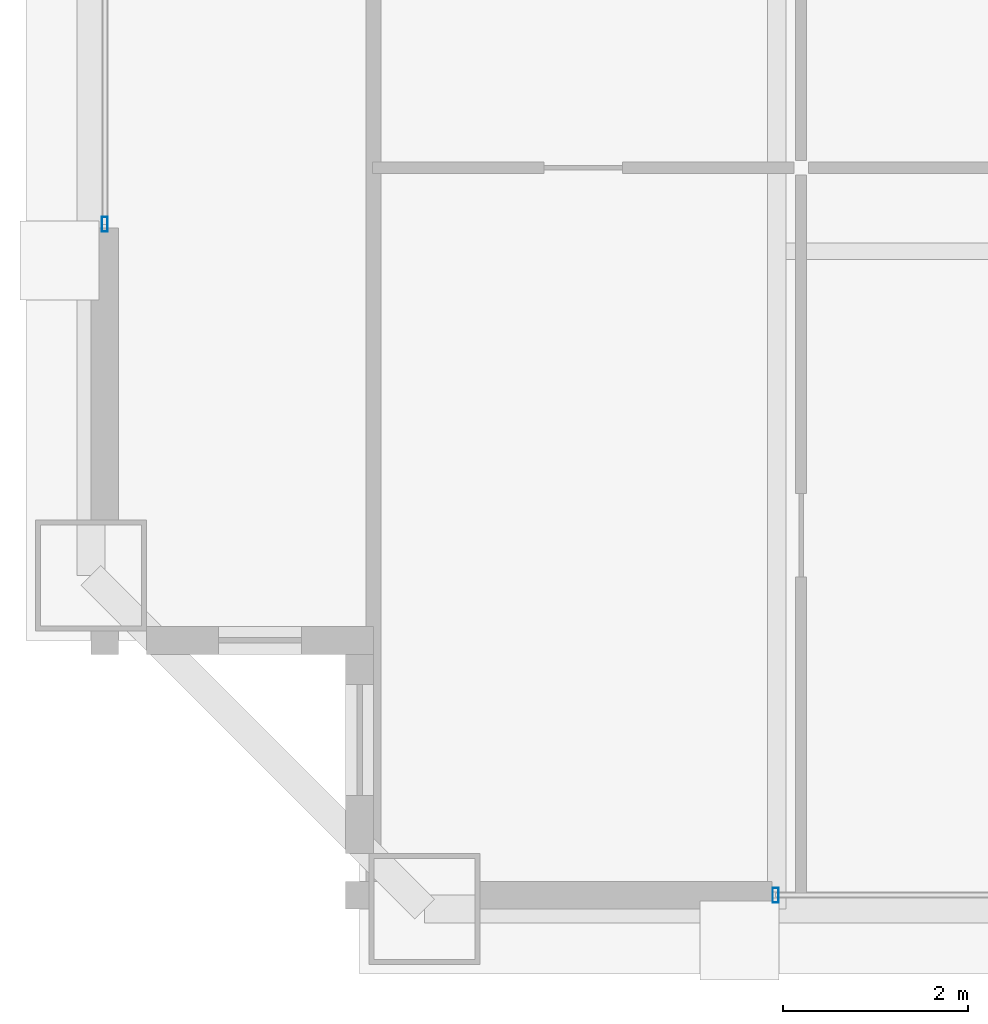
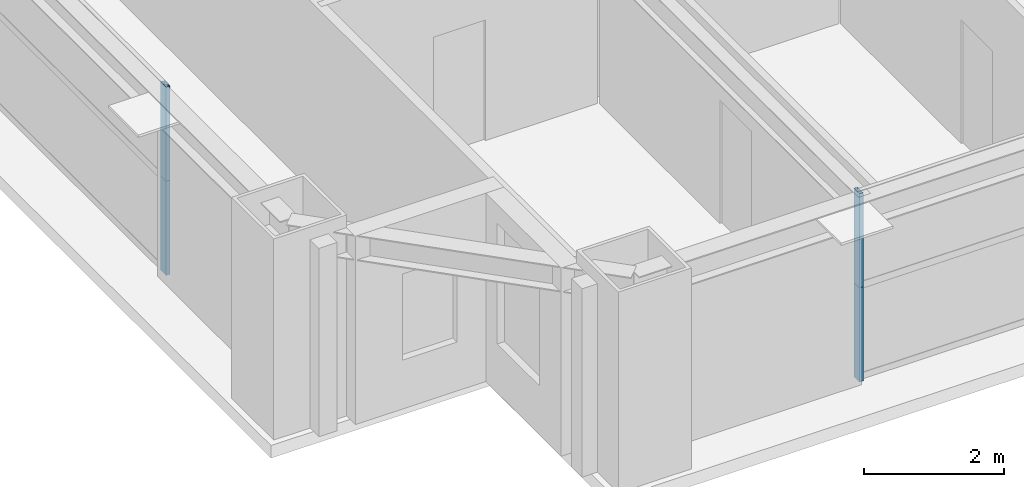
# One storey, part 3 of 36: 4 members, 2 elements without a shape of their own.
"""IFC4 building model written with IfcOpenShell, lengths in metres."""

import ifcopenshell
import ifcopenshell.guid

model = None  # the IFC model being written
_history = None  # IfcOwnerHistory: only IFC2X3 demands one
_inside = {}  # id of a spatial element -> (the spatial element, [elements in it])
_under = {}  # id of a project, library or spatial element -> (it, [spatial elements below it])
_declared = {}  # id of a project -> (the project, [libraries it declares])
_typed = {}  # id of a type object -> (the type object, [elements of that type])
_made_of = {}  # id of a material, layer set ... -> (it, [elements and type objects made of it])


def new_model(schema):
    """Start an empty IFC model of exactly this schema.

    Asked for "IFC4X3", IfcOpenShell would pick the latest addendum, in which some entities
    have other attributes; the version numbers below select the first issue.
    IFC2X3 requires an IfcOwnerHistory on every rooted entity: one is made here for all.
    """
    global model, _history
    if schema == "IFC4X3":
        model = ifcopenshell.file(schema_version=(4, 3, 0, 0))
    else:
        model = ifcopenshell.file(schema=schema)
    _inside.clear()
    _under.clear()
    _declared.clear()
    _typed.clear()
    _made_of.clear()
    _history = None
    if model.schema == "IFC2X3":
        org = make("IfcOrganization", Name="unknown")
        user = make(
            "IfcPersonAndOrganization",
            ThePerson=make("IfcPerson", FamilyName="unknown"),
            TheOrganization=org,
        )
        app = make(
            "IfcApplication",
            ApplicationDeveloper=org,
            Version="unknown",
            ApplicationFullName="unknown",
            ApplicationIdentifier="unknown",
        )
        _history = make(
            "IfcOwnerHistory",
            OwningUser=user,
            OwningApplication=app,
            ChangeAction="ADDED",
            CreationDate=0,
        )
    return model


def make(cls, **values):
    """One entity of the class cls with the attributes given. An attribute that is None is left unset."""
    return model.create_entity(
        cls, **{name: value for name, value in values.items() if value is not None}
    )


def rooted(cls, **values):
    """An entity with a GlobalId (a new one), such as an element, a storey or a relation."""
    return make(cls, GlobalId=ifcopenshell.guid.new(), OwnerHistory=_history, **values)


def si_unit(unit_type, name, prefix=None):
    """IfcSIUnit, for example si_unit("LENGTHUNIT", "METRE", prefix="MILLI")."""
    return make("IfcSIUnit", UnitType=unit_type, Prefix=prefix, Name=name)


def assignment(units):
    """IfcUnitAssignment: the units of a project."""
    return None if units is None else make("IfcUnitAssignment", Units=units)


def point(xyz):
    """IfcCartesianPoint."""
    return None if xyz is None else make("IfcCartesianPoint", Coordinates=xyz)


def direction(xyz):
    """IfcDirection."""
    return None if xyz is None else make("IfcDirection", DirectionRatios=xyz)


def frame(location, z_axis=None, x_axis=None):
    """IfcAxis2Placement3D, a coordinate frame: its origin and axes. An axis left out is left unset."""
    return make(
        "IfcAxis2Placement3D",
        Location=point(location),
        Axis=direction(z_axis),
        RefDirection=direction(x_axis),
    )


def frame_2d(location, x_axis=None):
    """IfcAxis2Placement2D, a coordinate frame in the plane: its origin and x axis."""
    return make(
        "IfcAxis2Placement2D", Location=point(location), RefDirection=direction(x_axis)
    )


def origin():
    """The frame at (0, 0, 0) with its axes left unset."""
    return frame((0.0, 0.0, 0.0))


def origin_2d():
    """The frame at (0, 0) in the plane with its x axis left unset."""
    return frame_2d((0.0, 0.0))


def place(relative_to, where):
    """IfcLocalPlacement: puts the frame where relative to a parent placement (None: the world)."""
    return make(
        "IfcLocalPlacement", PlacementRelTo=relative_to, RelativePlacement=where
    )


def context(
    kind, dimensions, precision=None, world=None, true_north=None, identifier=None
):
    """IfcGeometricRepresentationContext, for example the 3D "Model" context."""
    return make(
        "IfcGeometricRepresentationContext",
        ContextIdentifier=identifier,
        ContextType=kind,
        CoordinateSpaceDimension=dimensions,
        Precision=precision,
        WorldCoordinateSystem=world,
        TrueNorth=true_north,
    )


def subcontext(parent, identifier, kind, view, scale=None):
    """IfcGeometricRepresentationSubContext, for example "Body" below "Model"."""
    return make(
        "IfcGeometricRepresentationSubContext",
        ContextIdentifier=identifier,
        ContextType=kind,
        ParentContext=parent,
        TargetScale=scale,
        TargetView=view,
    )


def project(units=None, contexts=None):
    """IfcProject with its units and contexts."""
    return rooted(
        "IfcProject",
        Name="project",
        RepresentationContexts=contexts,
        UnitsInContext=assignment(units),
    )


def spatial(cls, under=None, at=None, **own):
    """A site, building, storey or space (cls), placed at a placement, below another one or the project."""
    s = rooted(cls, ObjectPlacement=at, **own)
    if under is not None:
        _under.setdefault(under.id(), (under, []))[1].append(s)
    return s


def profile(cls, at=None, kind="AREA", **sizes):
    """A parametric profile (cls). Its sizes go by their IFC names, for example OverallWidth=200.0."""
    return make(cls, ProfileType=kind, Position=at, **sizes)


def hollow_rectangle(**sizes):
    """IfcRectangleHollowProfileDef."""
    return profile("IfcRectangleHollowProfileDef", **sizes)


def extrude(swept, where, along, depth):
    """IfcExtrudedAreaSolid: the profile swept, set in the frame where, extruded along a direction by depth."""
    return make(
        "IfcExtrudedAreaSolid",
        SweptArea=swept,
        Position=where,
        ExtrudedDirection=direction(along),
        Depth=depth,
    )


def shape(context_of_items, identifier, shape_type, items):
    """IfcShapeRepresentation: the items that make up one representation, for example the "Body"."""
    return make(
        "IfcShapeRepresentation",
        ContextOfItems=context_of_items,
        RepresentationIdentifier=identifier,
        RepresentationType=shape_type,
        Items=items,
    )


def source(mapping_origin, context_of_items, identifier, shape_type, items):
    """IfcRepresentationMap: a shape defined once, which mapped items show again and again."""
    return make(
        "IfcRepresentationMap",
        MappingOrigin=mapping_origin,
        MappedRepresentation=shape(context_of_items, identifier, shape_type, items),
    )


def transform(
    local_origin,
    x_axis=None,
    y_axis=None,
    z_axis=None,
    scale=None,
    scale2=None,
    scale3=None,
    uniform=True,
):
    """IfcCartesianTransformationOperator3D, or its non-uniform kind. x_axis, y_axis, z_axis: its Axis1, 2, 3."""
    if uniform:
        return make(
            "IfcCartesianTransformationOperator3D",
            Axis1=direction(x_axis),
            Axis2=direction(y_axis),
            LocalOrigin=point(local_origin),
            Scale=scale,
            Axis3=direction(z_axis),
        )
    return make(
        "IfcCartesianTransformationOperator3DnonUniform",
        Axis1=direction(x_axis),
        Axis2=direction(y_axis),
        LocalOrigin=point(local_origin),
        Scale=scale,
        Axis3=direction(z_axis),
        Scale2=scale2,
        Scale3=scale3,
    )


def mapped(mapping_source, mapping_target):
    """IfcMappedItem: shows the shape of a source again, moved by a transform."""
    return make(
        "IfcMappedItem", MappingSource=mapping_source, MappingTarget=mapping_target
    )


def material(Name=None, Category=None):
    """IfcMaterial."""
    return make("IfcMaterial", Name=Name, Category=Category)


def layer(
    of_material, thickness, ventilated=None, Name=None, Category=None, Priority=None
):
    """IfcMaterialLayer: one layer of a wall or slab, of a material (None: an air gap)."""
    return make(
        "IfcMaterialLayer",
        Material=of_material,
        LayerThickness=thickness,
        IsVentilated=ventilated,
        Name=Name,
        Category=Category,
        Priority=Priority,
    )


def layer_set(layers, Name=None):
    """IfcMaterialLayerSet."""
    return make("IfcMaterialLayerSet", MaterialLayers=layers, LayerSetName=Name)


def material_profile(
    of_material, cross_section, Name=None, Category=None, Priority=None
):
    """IfcMaterialProfile: a cross section and its material."""
    return make(
        "IfcMaterialProfile",
        Name=Name,
        Material=of_material,
        Profile=cross_section,
        Priority=Priority,
        Category=Category,
    )


def profile_set(profiles, Name=None, composite=None):
    """IfcMaterialProfileSet."""
    return make(
        "IfcMaterialProfileSet",
        Name=Name,
        MaterialProfiles=profiles,
        CompositeProfile=composite,
    )


def made_of(thing, what):
    """Note that an element or type object is made of a material, layer set ...; save() writes the relation."""
    if what is not None:
        _made_of.setdefault(what.id(), (what, []))[1].append(thing)
    return thing


def type_object(cls, material=None, **own):
    """A type object (cls), such as IfcWallType, which elements share."""
    return made_of(rooted(cls, **own), material)


def element(
    cls,
    number,
    at=None,
    inside=None,
    cuts=None,
    type_object=None,
    material=None,
    context=None,
    identifier="Body",
    shape_type=None,
    held_by="IfcProductDefinitionShape",
    body=None,
    shapes=None,
    **own,
):
    """One element of the class cls, such as IfcWall. Its Tag is "e" and its number.

    at: its placement. inside: the storey or other place that contains it. cuts: it is an
    opening in that element (IfcRelVoidsElement). A single representation is given by context,
    identifier, shape_type and body (its items); several are given by shapes. held_by: the class
    of the entity that holds the representations. save() writes the other relations.
    """
    e = rooted(cls, Tag="e%d" % number, ObjectPlacement=at, **own)
    if body is not None:
        shapes = [shape(context, identifier, shape_type, body)]
    if shapes is not None:
        e.Representation = make(held_by, Representations=shapes)
    if inside is not None:
        _inside.setdefault(inside.id(), (inside, []))[1].append(e)
    if cuts is not None:
        rooted(
            "IfcRelVoidsElement", RelatingBuildingElement=cuts, RelatedOpeningElement=e
        )
    if type_object is not None:
        _typed.setdefault(type_object.id(), (type_object, []))[1].append(e)
    return made_of(e, material)


def aggregate(whole, parts):
    """IfcRelAggregates: a whole, such as a stair, and the parts it consists of."""
    return rooted("IfcRelAggregates", RelatingObject=whole, RelatedObjects=parts)


def save(model, path):
    """Write the relations noted so far, then the file.

    IfcRelAggregates (storeys below a building ...), IfcRelContainedInSpatialStructure (elements
    in a storey), IfcRelDefinesByType, IfcRelAssociatesMaterial and IfcRelDeclares: one each for
    every whole, place, type object, material and project.
    """
    for whole, parts in _under.values():
        aggregate(whole, parts)
    for where, things in _inside.values():
        rooted(
            "IfcRelContainedInSpatialStructure",
            RelatedElements=things,
            RelatingStructure=where,
        )
    for kind, things in _typed.values():
        rooted("IfcRelDefinesByType", RelatedObjects=things, RelatingType=kind)
    for what, things in _made_of.values():
        rooted("IfcRelAssociatesMaterial", RelatedObjects=things, RelatingMaterial=what)
    for by, libraries in _declared.values():
        rooted("IfcRelDeclares", RelatingContext=by, RelatedDefinitions=libraries)
    model.write(path)


model = new_model("IFC4")

# Units and contexts
model_context = context("Model", 3, precision=1e-05, world=origin(), true_north=direction((0.0, 1.0)))
body_context = subcontext(model_context, "Body", "Model", "MODEL_VIEW")
ifc_project = project(units=[si_unit("LENGTHUNIT", "METRE"), si_unit("AREAUNIT", "SQUARE_METRE"), si_unit("VOLUMEUNIT", "CUBIC_METRE"), si_unit("PLANEANGLEUNIT", "RADIAN"), si_unit("MASSUNIT", "GRAM", prefix="KILO"), si_unit("THERMODYNAMICTEMPERATUREUNIT", "KELVIN"), si_unit("POWERUNIT", "WATT")], contexts=[model_context])

# Site, building, storey
site_placement = place(None, origin())
site = spatial("IfcSite", under=ifc_project, at=site_placement, CompositionType="ELEMENT")
building_placement = place(site_placement, origin())
building = spatial("IfcBuilding", under=site, at=building_placement, Name="Yuzanri Waterfront Tower", CompositionType="ELEMENT")
storey_placement = place(building_placement, frame((0.0, 0.0, 224.10009765625)))
storey = spatial("IfcBuildingStorey", under=building, at=storey_placement, Name="L59", CompositionType="ELEMENT", Elevation=224.10009765625)

# Curtain wall, members
ifc_material_1 = material(Name="Anodized Architectural Bronze", Category="metal")
ifc_layer = layer(ifc_material_1, 0.159912109375)
ifc_layer_set = layer_set([ifc_layer], Name="Anodized Architectural Bronze")
curtain_wall_type = type_object("IfcCurtainWallType", Name="Anodized Bronze Mid-Rise Residential Acoustic Unitized Curtain Wall 7200", PredefinedType="NOTDEFINED", material=ifc_layer_set)
curtain_wall_1_placement = place(storey_placement, origin())
curtain_wall_1 = element("IfcCurtainWall", 1, at=curtain_wall_1_placement, inside=storey, type_object=curtain_wall_type, Name="L59 Curtain Wall CW-L59-SL", PredefinedType="NOTDEFINED")
ifc_material_2 = material(Name="Anodized Architectural Bronze", Category="metal")
ifc_material_profile = material_profile(ifc_material_2, hollow_rectangle(XDim=0.06494140625, YDim=0.159912109375, WallThickness=0.00341796875, at=origin_2d()), Name="CWM 65x160")
ifc_profile_set = profile_set([ifc_material_profile], Name="Anodized Architectural Bronze")
member_type = type_object("IfcMemberType", Name="Anodized Bronze Upper-Zone Curtain-Wall Mullion 65x160", PredefinedType="MULLION", material=ifc_profile_set)
shared_shape = source(origin(), body_context, "Body", "SweptSolid", [
    extrude(hollow_rectangle(XDim=0.06494140625, YDim=0.159912109375, WallThickness=0.00341796875, at=origin_2d()), origin(), (0.0, 0.0, 1.0), 1.637939453125),
])
member_1_placement = place(storey_placement, frame((23.7900390625, 5.35009765625, 0.0), z_axis=(0.0, 0.0, 1.0), x_axis=(1.0, 0.0, 0.0)))
member_1 = element("IfcMember", 2, at=member_1_placement, type_object=member_type, Name="CW-L59-SL Lower Mullion 00", PredefinedType="MULLION", context=body_context, shape_type="MappedRepresentation", body=[
    mapped(shared_shape, transform((0.0, 0.0, 0.0), scale=1.0)),
])
member_2_placement = place(storey_placement, frame((23.7900390625, 5.35009765625, 1.641845703125), z_axis=(0.0, 0.0, 1.0), x_axis=(1.0, 0.0, 0.0)))
member_2 = element("IfcMember", 3, at=member_2_placement, type_object=member_type, Name="CW-L59-SL Upper Mullion 00", PredefinedType="MULLION", context=body_context, shape_type="MappedRepresentation", body=[
    mapped(shared_shape, transform((0.0, 0.0, 0.0), scale=1.0)),
])
aggregate(curtain_wall_1, [member_1, member_2])

curtain_wall_2_placement = place(storey_placement, origin())
curtain_wall_2 = element("IfcCurtainWall", 4, at=curtain_wall_2_placement, inside=storey, type_object=curtain_wall_type, Name="L59 Curtain Wall CW-L59-WL", PredefinedType="NOTDEFINED")
member_3_placement = place(storey_placement, frame((16.550048828125, 12.590087890625, 0.0), z_axis=(0.0, 0.0, 1.0), x_axis=(1.0, 0.0, 0.0)))
member_3 = element("IfcMember", 5, at=member_3_placement, type_object=member_type, Name="CW-L59-WL Lower Mullion 00", PredefinedType="MULLION", context=body_context, shape_type="MappedRepresentation", body=[
    mapped(shared_shape, transform((0.0, 0.0, 0.0), scale=1.0)),
])
member_4_placement = place(storey_placement, frame((16.550048828125, 12.590087890625, 1.641845703125), z_axis=(0.0, 0.0, 1.0), x_axis=(1.0, 0.0, 0.0)))
member_4 = element("IfcMember", 6, at=member_4_placement, type_object=member_type, Name="CW-L59-WL Upper Mullion 00", PredefinedType="MULLION", context=body_context, shape_type="MappedRepresentation", body=[
    mapped(shared_shape, transform((0.0, 0.0, 0.0), scale=1.0)),
])
aggregate(curtain_wall_2, [member_3, member_4])

save(model, "model.ifc")
